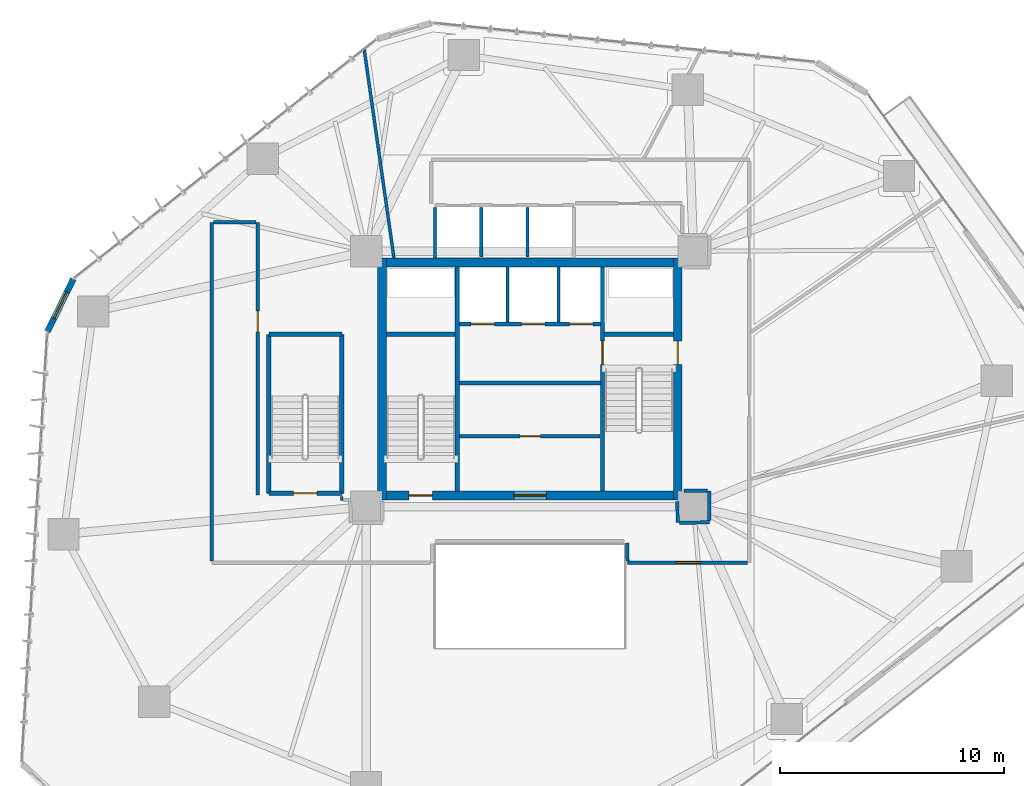
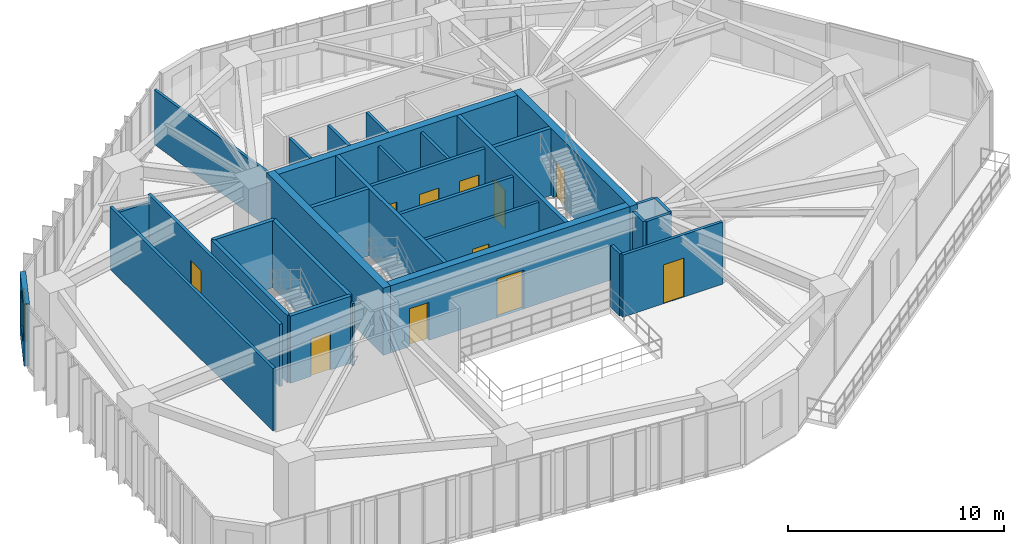
# One storey, part 19 of 24: 32 walls, 11 doors, 1 window, 12 openings.
"""IFC4 building model written with IfcOpenShell, lengths in metres."""

from ifc_helpers import new_model, si_unit, direction, frame, frame_2d, origin, place, context, subcontext, project, spatial, rectangle, extrude, source, transform, mapped, material, layer, layer_set, type_object, type_shapes, element, fill, save


model = new_model("IFC4")

# Units and contexts
model_context = context("Model", 3, precision=1e-05, world=origin(), true_north=direction((0.0, 1.0)))
body_context = subcontext(model_context, "Body", "Model", "MODEL_VIEW")
ifc_project = project(units=[si_unit("LENGTHUNIT", "METRE"), si_unit("AREAUNIT", "SQUARE_METRE"), si_unit("VOLUMEUNIT", "CUBIC_METRE"), si_unit("PLANEANGLEUNIT", "RADIAN"), si_unit("MASSUNIT", "GRAM", prefix="KILO")], contexts=[model_context])

# Site, building, storey
site_placement = place(None, origin())
site = spatial("IfcSite", under=ifc_project, at=site_placement, CompositionType="ELEMENT")
building_placement = place(site_placement, origin())
building = spatial("IfcBuilding", under=site, at=building_placement, Name="Talar Marvaseh", CompositionType="ELEMENT")
storey_placement = place(building_placement, frame((0.0, 0.0, 73.39990234375)))
storey = spatial("IfcBuildingStorey", under=building, at=storey_placement, Name="L18", CompositionType="ELEMENT", Elevation=73.39990234375)

# Wall, opening, window
ifc_material_1 = material(Name="Precast concrete C45/55", Category="concrete")
ifc_layer_1 = layer(ifc_material_1, 0.27001953125)
ifc_layer_set_1 = layer_set([ifc_layer_1], Name="Precast concrete C45/55")
wall_type_1 = type_object("IfcWallType", Name="Chamfered Hexagonal Corner Pier Wall Z1 270", PredefinedType="SOLIDWALL", material=ifc_layer_set_1)
wall_1_placement = place(storey_placement, frame((4.45751953125, 33.31640625, 0.0), z_axis=(0.0, 0.0, 1.0), x_axis=(0.440201354964, 0.897899085136, 0.0)))
wall_1 = element("IfcWall", 1, at=wall_1_placement, inside=storey, type_object=wall_type_1, Name="L18 Chamfered Corner Limestone Pier 2", PredefinedType="SOLIDWALL", context=body_context, shape_type="SweptSolid", body=[
    extrude(rectangle(XDim=2.623291015625, YDim=0.27001953125, at=frame_2d((1.3115234375, 0.0))), origin(), (0.0, 0.0, 1.0), 3.52001953125),
])
opening_1_placement = place(wall_1_placement, frame((0.662109375, 0.0, 0.89990234375)))
opening_1 = element("IfcOpeningElement", 2, at=opening_1_placement, cuts=wall_1, Name="Opening WN-CHM13", PredefinedType="OPENING", context=body_context, shape_type="SweptSolid", body=[
    extrude(rectangle(XDim=1.300048828125, YDim=2.14990234375, at=frame_2d((0.64990234375, 1.074951171875))), frame((0.0, 0.14501953125, 0.0), z_axis=(0.0, -1.0, 0.0), x_axis=(1.0, 0.0, 0.0)), (0.0, 0.0, 1.0), 0.2900390625),
])
ifc_material_2 = material(Name="Laminated Low-E Solar Glass", Category="glass")
window_type = type_object("IfcWindowType", Name="Zone 1 Chamfered Corner Slot Window 1300x2150", PartitioningType="SINGLE_PANEL", PredefinedType="WINDOW", material=ifc_material_2)
shared_shape_1 = source(origin(), body_context, "Body", "SweptSolid", [
    extrude(rectangle(XDim=1.300048828125, YDim=2.14990234375, at=frame_2d((0.64990234375, 1.074951171875))), frame((0.0, 0.030029296875, 0.0), z_axis=(0.0, -1.0, 0.0), x_axis=(1.0, 0.0, 0.0)), (0.0, 0.0, 1.0), 0.06005859375),
])
type_shapes(window_type, [shared_shape_1])
window_placement = place(opening_1_placement, origin())
window = element("IfcWindow", 3, at=window_placement, inside=storey, type_object=window_type, Name="L18 Chamfered Corner Slot Window", OverallHeight=2.14990234375, OverallWidth=1.300048828125, PartitioningType="SINGLE_PANEL", PredefinedType="WINDOW", context=body_context, shape_type="MappedRepresentation", body=[
    mapped(shared_shape_1, transform((0.0, 0.0, 0.0), x_axis=(1.0, 0.0, 0.0), y_axis=(0.0, 1.0, 0.0), z_axis=(0.0, 0.0, 1.0), scale=1.0)),
])
fill(opening_1, window)

# Wall, opening, door
ifc_material_3 = material(Name="Gypsum Board Partition Assembly")
ifc_layer_2 = layer(ifc_material_3, 0.155029296875)
ifc_layer_set_2 = layer_set([ifc_layer_2], Name="Gypsum Board Partition Assembly")
wall_type_2 = type_object("IfcWallType", Name="Corridor Fire-Rated Acoustic Partition 155", PredefinedType="PARTITIONING", material=ifc_layer_set_2)
wall_2_placement = place(storey_placement, frame((22.865966796875, 28.639892578125, 0.0), z_axis=(0.0, 0.0, 1.0), x_axis=(1.0, 0.0, 0.0)))
wall_2 = element("IfcWall", 4, at=wall_2_placement, inside=storey, type_object=wall_type_2, Name="L18 Core BOH Partition", PredefinedType="PARTITIONING", context=body_context, shape_type="SweptSolid", body=[
    extrude(rectangle(XDim=6.26806640625, YDim=0.155029296875, at=frame_2d((3.134033203125, 0.0))), origin(), (0.0, 0.0, 1.0), 3.52001953125),
])
opening_2_placement = place(wall_2_placement, frame((2.699951171875, 0.0, 0.0)))
opening_2 = element("IfcOpeningElement", 5, at=opening_2_placement, cuts=wall_2, Name="Opening DR-BOH090", PredefinedType="OPENING", context=body_context, shape_type="SweptSolid", body=[
    extrude(rectangle(XDim=0.89990234375, YDim=2.10009765625, at=frame_2d((0.449951171875, 1.050048828125))), frame((0.0, 0.08740234375, 0.0), z_axis=(0.0, -1.0, 0.0), x_axis=(1.0, 0.0, 0.0)), (0.0, 0.0, 1.0), 0.175048828125),
])
ifc_material_4 = material(Name="Fire-Rated Steel Door Leaf", Category="steel")
door_type_1 = type_object("IfcDoorType", Name="Core Back-of-House Service Door 900x2100", OperationType="NOTDEFINED", PredefinedType="DOOR", material=ifc_material_4)
shared_shape_2 = source(origin(), body_context, "Body", "SweptSolid", [
    extrude(rectangle(XDim=0.89990234375, YDim=2.10009765625, at=frame_2d((0.449951171875, 1.050048828125))), frame((0.0, 0.02490234375, 0.0), z_axis=(0.0, -1.0, 0.0), x_axis=(1.0, 0.0, 0.0)), (0.0, 0.0, 1.0), 0.050048828125),
])
type_shapes(door_type_1, [shared_shape_2])
door_1_placement = place(opening_2_placement, origin())
door_1 = element("IfcDoor", 6, at=door_1_placement, inside=storey, type_object=door_type_1, Name="L18 Store Core Central Archive Door", OperationType="SINGLE_SWING_LEFT", OverallHeight=2.10009765625, OverallWidth=0.89990234375, PredefinedType="DOOR", context=body_context, shape_type="MappedRepresentation", body=[
    mapped(shared_shape_2, transform((0.0, 0.0, 0.0), x_axis=(1.0, 0.0, 0.0), y_axis=(0.0, 1.0, 0.0), z_axis=(0.0, 0.0, 1.0), scale=1.0)),
])
fill(opening_2, door_1)

wall_3_placement = place(storey_placement, frame((13.85009765625, 38.199951171875, 0.0), z_axis=(0.0, 0.0, 1.0), x_axis=(0.0, -1.0, 0.0)))
wall_3 = element("IfcWall", 7, at=wall_3_placement, inside=storey, type_object=wall_type_2, Name="L18 Interior Partition Wall", PredefinedType="PARTITIONING", context=body_context, shape_type="SweptSolid", body=[
    extrude(rectangle(XDim=12.179931640625, YDim=0.155029296875, at=frame_2d((6.08984375, 0.0))), origin(), (0.0, 0.0, 1.0), 3.52001953125),
])
opening_3_placement = place(wall_3_placement, frame((3.95166015625, 0.0, 0.0)))
opening_3 = element("IfcOpeningElement", 8, at=opening_3_placement, cuts=wall_3, Name="Opening DR-WC095", PredefinedType="OPENING", context=body_context, shape_type="SweptSolid", body=[
    extrude(rectangle(XDim=0.949951171875, YDim=2.14990234375, at=frame_2d((0.47509765625, 1.074951171875))), frame((0.0, 0.08740234375, 0.0), z_axis=(0.0, -1.0, 0.0), x_axis=(1.0, 0.0, 0.0)), (0.0, 0.0, 1.0), 0.175048828125),
])
ifc_material_5 = material(Name="Acoustic Engineered Oak Timber", Category="wood")
door_type_2 = type_object("IfcDoorType", Name="Washroom and Service Room Door 950x2150", OperationType="NOTDEFINED", PredefinedType="DOOR", material=ifc_material_5)
shared_shape_3 = source(origin(), body_context, "Body", "SweptSolid", [
    extrude(rectangle(XDim=0.949951171875, YDim=2.14990234375, at=frame_2d((0.47509765625, 1.074951171875))), frame((0.0, 0.02490234375, 0.0), z_axis=(0.0, -1.0, 0.0), x_axis=(1.0, 0.0, 0.0)), (0.0, 0.0, 1.0), 0.050048828125),
])
type_shapes(door_type_2, [shared_shape_3])
door_2_placement = place(opening_3_placement, origin())
door_2 = element("IfcDoor", 9, at=door_2_placement, inside=storey, type_object=door_type_2, Name="L18 Collection Conservation Store Door", OperationType="SINGLE_SWING_RIGHT", OverallHeight=2.14990234375, OverallWidth=0.949951171875, PredefinedType="DOOR", context=body_context, shape_type="MappedRepresentation", body=[
    mapped(shared_shape_3, transform((0.0, 0.0, 0.0), x_axis=(1.0, 0.0, 0.0), y_axis=(0.0, 1.0, 0.0), z_axis=(0.0, 0.0, 1.0), scale=1.0)),
])
fill(opening_3, door_2)

wall_4_placement = place(storey_placement, frame((35.716552734375, 23.0, 0.0), z_axis=(0.0, 0.0, 1.0), x_axis=(-1.0, 0.0, 0.0)))
wall_4 = element("IfcWall", 10, at=wall_4_placement, inside=storey, type_object=wall_type_2, Name="L18 Interior Partition Wall", PredefinedType="PARTITIONING", context=body_context, shape_type="SweptSolid", body=[
    extrude(rectangle(XDim=5.3564453125, YDim=0.155029296875, at=frame_2d((2.67822265625, 0.0))), origin(), (0.0, 0.0, 1.0), 3.52001953125),
])
opening_4_placement = place(wall_4_placement, frame((2.08642578125, 0.0, 0.0)))
opening_4 = element("IfcOpeningElement", 11, at=opening_4_placement, cuts=wall_4, Name="Opening DR-RM110", PredefinedType="OPENING", context=body_context, shape_type="SweptSolid", body=[
    extrude(rectangle(XDim=1.10009765625, YDim=2.199951171875, at=frame_2d((0.550048828125, 1.10009765625))), frame((0.0, 0.08740234375, 0.0), z_axis=(0.0, -1.0, 0.0), x_axis=(1.0, 0.0, 0.0)), (0.0, 0.0, 1.0), 0.175048828125),
])
door_type_3 = type_object("IfcDoorType", Name="Assembly and Reading Hall Door 1100x2200", OperationType="NOTDEFINED", PredefinedType="DOOR", material=ifc_material_5)
shared_shape_4 = source(origin(), body_context, "Body", "SweptSolid", [
    extrude(rectangle(XDim=1.10009765625, YDim=2.199951171875, at=frame_2d((0.550048828125, 1.10009765625))), frame((0.0, 0.02490234375, 0.0), z_axis=(0.0, -1.0, 0.0), x_axis=(1.0, 0.0, 0.0)), (0.0, 0.0, 1.0), 0.050048828125),
])
type_shapes(door_type_3, [shared_shape_4])
door_3_placement = place(opening_4_placement, origin())
door_3 = element("IfcDoor", 12, at=door_3_placement, inside=storey, type_object=door_type_3, Name="L18 Exhibition Gallery Door", OperationType="SINGLE_SWING_LEFT", OverallHeight=2.199951171875, OverallWidth=1.10009765625, PredefinedType="DOOR", context=body_context, shape_type="MappedRepresentation", body=[
    mapped(shared_shape_4, transform((0.0, 0.0, 0.0), x_axis=(1.0, 0.0, 0.0), y_axis=(0.0, 1.0, 0.0), z_axis=(0.0, 0.0, 1.0), scale=1.0)),
])
fill(opening_4, door_3)

# Walls
wall_5_placement = place(storey_placement, frame((11.800048828125, 23.08349609375, 0.0), z_axis=(0.0, 0.0, 1.0), x_axis=(0.0, 1.0, 0.0)))
element("IfcWall", 13, at=wall_5_placement, inside=storey, type_object=wall_type_2, Name="L18 Interior Partition Wall", PredefinedType="PARTITIONING", context=body_context, shape_type="SweptSolid", body=[
    extrude(rectangle(XDim=15.116455078125, YDim=0.155029296875, at=frame_2d((7.55810546875, 0.0))), origin(), (0.0, 0.0, 1.0), 3.52001953125),
])
wall_6_placement = place(storey_placement, frame((11.883544921875, 38.199951171875, 0.0), z_axis=(0.0, 0.0, 1.0), x_axis=(1.0, 0.0, 0.0)))
element("IfcWall", 14, at=wall_6_placement, inside=storey, type_object=wall_type_2, Name="L18 Interior Partition Wall", PredefinedType="PARTITIONING", context=body_context, shape_type="SweptSolid", body=[
    extrude(rectangle(XDim=1.883056640625, YDim=0.155029296875, at=frame_2d((0.94140625, 0.0))), origin(), (0.0, 0.0, 1.0), 3.08203125),
])
wall_7_placement = place(storey_placement, frame((32.5849609375, 25.72998046875, 0.0), z_axis=(0.0, 0.0, 1.0), x_axis=(0.007253695172, -0.999973691607, 0.0)))
element("IfcWall", 15, at=wall_7_placement, inside=storey, type_object=wall_type_2, Name="L18 Interior Partition Wall", PredefinedType="PARTITIONING", context=body_context, shape_type="SweptSolid", body=[
    extrude(rectangle(XDim=0.9423828125, YDim=0.155029296875, at=frame_2d((0.47119140625, 0.0))), origin(), (0.0, 0.0, 1.0), 3.52001953125),
])
wall_8_placement = place(storey_placement, frame((32.67529296875, 24.788330078125, 0.0), z_axis=(0.0, 0.0, 1.0), x_axis=(0.999961738884, 0.008747614993, 0.0)))
element("IfcWall", 16, at=wall_8_placement, inside=storey, type_object=wall_type_2, Name="L18 Interior Partition Wall", PredefinedType="PARTITIONING", context=body_context, shape_type="SweptSolid", body=[
    extrude(rectangle(XDim=1.339599609375, YDim=0.155029296875, at=frame_2d((0.669921875, 0.0))), origin(), (0.0, 0.0, 1.0), 3.52001953125),
])
wall_9_placement = place(storey_placement, frame((34.014892578125, 24.883544921875, 0.0), z_axis=(0.0, 0.0, 1.0), x_axis=(-0.002393659134, 0.999997135194, 0.0)))
element("IfcWall", 17, at=wall_9_placement, inside=storey, type_object=wall_type_2, Name="L18 Interior Partition Wall", PredefinedType="PARTITIONING", context=body_context, shape_type="SweptSolid", body=[
    extrude(rectangle(XDim=1.325927734375, YDim=0.155029296875, at=frame_2d((0.6630859375, 0.0))), origin(), (0.0, 0.0, 1.0), 3.52001953125),
])
wall_10_placement = place(storey_placement, frame((33.927978515625, 26.2099609375, 0.0), z_axis=(0.0, 0.0, 1.0), x_axis=(-0.999988255797, 0.004846469737, 0.0)))
element("IfcWall", 18, at=wall_10_placement, inside=storey, type_object=wall_type_2, Name="L18 Interior Partition Wall", PredefinedType="PARTITIONING", context=body_context, shape_type="SweptSolid", body=[
    extrude(rectangle(XDim=1.057861328125, YDim=0.155029296875, at=frame_2d((0.52880859375, 0.0))), origin(), (0.0, 0.0, 1.0), 3.52001953125),
])
wall_11_placement = place(storey_placement, frame((30.358154296875, 23.08349609375, 0.0), z_axis=(0.0, 0.0, 1.0), x_axis=(-0.021573276475, 0.999767269789, 0.0)))
element("IfcWall", 19, at=wall_11_placement, inside=storey, type_object=wall_type_2, Name="L18 Interior Partition Wall", PredefinedType="PARTITIONING", context=body_context, shape_type="SweptSolid", body=[
    extrude(rectangle(XDim=0.792236328125, YDim=0.155029296875, at=frame_2d((0.39599609375, 0.0))), origin(), (0.0, 0.0, 1.0), 3.52001953125),
])
ifc_layer_3 = layer(ifc_material_3, 0.1201171875)
ifc_layer_set_3 = layer_set([ifc_layer_3], Name="Gypsum Board Partition Assembly")
wall_type_3 = type_object("IfcWallType", Name="Demountable Studio Room Partition 120", PredefinedType="PARTITIONING", material=ifc_layer_set_3)
wall_12_placement = place(storey_placement, frame((17.60009765625, 25.96240234375, 0.0), z_axis=(0.0, 0.0, 1.0), x_axis=(0.0, -1.0, 0.0)))
element("IfcWall", 20, at=wall_12_placement, inside=storey, type_object=wall_type_3, Name="L18 Interior Partition Wall", PredefinedType="PARTITIONING", context=body_context, shape_type="SweptSolid", body=[
    extrude(rectangle(XDim=0.1748046875, YDim=0.1201171875, at=frame_2d((0.08740234375, 0.0))), origin(), (0.0, 0.0, 1.0), 3.52001953125),
])
ifc_layer_4 = layer(ifc_material_1, 0.14501953125)
ifc_layer_set_4 = layer_set([ifc_layer_4], Name="Precast concrete C45/55")
wall_type_4 = type_object("IfcWallType", Name="Fire-Rated Lift Divider Wall 145", PredefinedType="SOLIDWALL", material=ifc_layer_set_4)
for number, where, z_axis, x_axis, name in (
    (21, (25.0, 33.743408203125, 0.0), (0.0, 0.0, 1.0), (0.0, 1.0, 0.0), "L18 FFL-1/FFL-2 Divider"),
    (22, (27.280029296875, 33.743408203125, 0.0), (0.0, 0.0, 1.0), (0.0, 1.0, 0.0), "L18 FFL-2/SVL-1 Divider"),
):
    element("IfcWall", number, at=place(storey_placement, frame(where, z_axis=z_axis, x_axis=x_axis)), inside=storey, type_object=wall_type_4, Name=name, PredefinedType="SOLIDWALL", context=body_context, shape_type="SweptSolid", body=[
        extrude(rectangle(XDim=2.45654296875, YDim=0.14501953125, at=frame_2d((1.228271484375, 0.0))), origin(), (0.0, 0.0, 1.0), 3.52001953125),
    ])
wall_13_placement = place(storey_placement, frame((21.760009765625, 36.60009765625, 0.0), z_axis=(0.0, 0.0, 1.0), x_axis=(0.0, 1.0, 0.0)))
element("IfcWall", 23, at=wall_13_placement, inside=storey, type_object=wall_type_4, Name="L18 Low-Rise Bank West Wall", PredefinedType="SOLIDWALL", context=body_context, shape_type="SweptSolid", body=[
    extrude(rectangle(XDim=2.266357421875, YDim=0.14501953125, at=frame_2d((1.13330078125, 0.0))), origin(), (0.0, 0.0, 1.0), 3.52001953125),
])
for number, where, z_axis, x_axis, name in (
    (24, (23.830078125, 36.659912109375, 0.0), (0.0, 0.0, 1.0), (0.0, 1.0, 0.0), "L18 PL-L1/PL-L2 Divider"),
    (25, (25.889892578125, 36.659912109375, 0.0), (0.0, 0.0, 1.0), (0.0, 1.0, 0.0), "L18 PL-L2/PL-L3 Divider"),
):
    element("IfcWall", number, at=place(storey_placement, frame(where, z_axis=z_axis, x_axis=x_axis)), inside=storey, type_object=wall_type_4, Name=name, PredefinedType="SOLIDWALL", context=body_context, shape_type="SweptSolid", body=[
        extrude(rectangle(XDim=2.20654296875, YDim=0.14501953125, at=frame_2d((1.103271484375, 0.0))), origin(), (0.0, 0.0, 1.0), 3.52001953125),
    ])

# Wall, openings, doors
ifc_layer_5 = layer(ifc_material_1, 0.175048828125)
ifc_layer_set_5 = layer_set([ifc_layer_5], Name="Precast concrete C45/55")
wall_type_5 = type_object("IfcWallType", Name="Fire-Rated Lift Hoistway Enclosure Wall 175", PredefinedType="SOLIDWALL", material=ifc_layer_set_5)
wall_14_placement = place(storey_placement, frame((22.860107421875, 33.64990234375, 0.0), z_axis=(0.0, 0.0, 1.0), x_axis=(1.0, 0.0, 0.0)))
wall_14 = element("IfcWall", 26, at=wall_14_placement, inside=storey, type_object=wall_type_5, Name="L18 Firefighting and Service Lift Front Wall", PredefinedType="SOLIDWALL", context=body_context, shape_type="SweptSolid", body=[
    extrude(rectangle(XDim=6.27978515625, YDim=0.175048828125, at=frame_2d((3.139892578125, 0.0))), origin(), (0.0, 0.0, 1.0), 3.52001953125),
])
opening_5_placement = place(wall_14_placement, frame((0.5, 0.0, 0.0)))
opening_5 = element("IfcOpeningElement", 27, at=opening_5_placement, cuts=wall_14, Name="Opening LD-FF1", PredefinedType="OPENING", context=body_context, shape_type="SweptSolid", body=[
    extrude(rectangle(XDim=1.050048828125, YDim=2.14990234375, at=frame_2d((0.52490234375, 1.074951171875))), frame((0.0, 0.09765625, 0.0), z_axis=(0.0, -1.0, 0.0), x_axis=(1.0, 0.0, 0.0)), (0.0, 0.0, 1.0), 0.195068359375),
])
opening_6_placement = place(wall_14_placement, frame((2.760009765625, 0.0, 0.0)))
opening_6 = element("IfcOpeningElement", 28, at=opening_6_placement, cuts=wall_14, Name="Opening LD-FF2", PredefinedType="OPENING", context=body_context, shape_type="SweptSolid", body=[
    extrude(rectangle(XDim=1.050048828125, YDim=2.14990234375, at=frame_2d((0.52490234375, 1.074951171875))), frame((0.0, 0.09765625, 0.0), z_axis=(0.0, -1.0, 0.0), x_axis=(1.0, 0.0, 0.0)), (0.0, 0.0, 1.0), 0.195068359375),
])
opening_7_placement = place(wall_14_placement, frame((4.89990234375, 0.0, 0.0)))
opening_7 = element("IfcOpeningElement", 29, at=opening_7_placement, cuts=wall_14, Name="Opening LD-SV1", PredefinedType="OPENING", context=body_context, shape_type="SweptSolid", body=[
    extrude(rectangle(XDim=1.050048828125, YDim=2.14990234375, at=frame_2d((0.52490234375, 1.074951171875))), frame((0.0, 0.09765625, 0.0), z_axis=(0.0, -1.0, 0.0), x_axis=(1.0, 0.0, 0.0)), (0.0, 0.0, 1.0), 0.195068359375),
])
ifc_material_6 = material(Name="Stainless Steel Grade 316", Category="steel")
door_type_4 = type_object("IfcDoorType", Name="Automatic Sliding Lift Landing Door 1050x2150", OperationType="NOTDEFINED", PredefinedType="DOOR", material=ifc_material_6)
shared_shape_5 = source(origin(), body_context, "Body", "SweptSolid", [
    extrude(rectangle(XDim=1.050048828125, YDim=2.14990234375, at=frame_2d((0.52490234375, 1.074951171875))), frame((0.0, 0.02490234375, 0.0), z_axis=(0.0, -1.0, 0.0), x_axis=(1.0, 0.0, 0.0)), (0.0, 0.0, 1.0), 0.050048828125),
])
type_shapes(door_type_4, [shared_shape_5])
door_4_placement = place(opening_5_placement, origin())
door_4 = element("IfcDoor", 30, at=door_4_placement, inside=storey, type_object=door_type_4, Name="L18 Lift FFL-1 Sliding Landing Door", OperationType="SLIDING_TO_LEFT", OverallHeight=2.14990234375, OverallWidth=1.050048828125, PredefinedType="DOOR", context=body_context, shape_type="MappedRepresentation", body=[
    mapped(shared_shape_5, transform((0.0, 0.0, 0.0), x_axis=(1.0, 0.0, 0.0), y_axis=(0.0, 1.0, 0.0), z_axis=(0.0, 0.0, 1.0), scale=1.0)),
])
fill(opening_5, door_4)
door_5_placement = place(opening_6_placement, origin())
door_5 = element("IfcDoor", 31, at=door_5_placement, inside=storey, type_object=door_type_4, Name="L18 Lift FFL-2 Sliding Landing Door", OperationType="SLIDING_TO_LEFT", OverallHeight=2.14990234375, OverallWidth=1.050048828125, PredefinedType="DOOR", context=body_context, shape_type="MappedRepresentation", body=[
    mapped(shared_shape_5, transform((0.0, 0.0, 0.0), x_axis=(1.0, 0.0, 0.0), y_axis=(0.0, 1.0, 0.0), z_axis=(0.0, 0.0, 1.0), scale=1.0)),
])
fill(opening_6, door_5)
door_6_placement = place(opening_7_placement, origin())
door_6 = element("IfcDoor", 32, at=door_6_placement, inside=storey, type_object=door_type_4, Name="L18 Lift SVL-1 Sliding Landing Door", OperationType="SLIDING_TO_LEFT", OverallHeight=2.14990234375, OverallWidth=1.050048828125, PredefinedType="DOOR", context=body_context, shape_type="MappedRepresentation", body=[
    mapped(shared_shape_5, transform((0.0, 0.0, 0.0), x_axis=(1.0, 0.0, 0.0), y_axis=(0.0, 1.0, 0.0), z_axis=(0.0, 0.0, 1.0), scale=1.0)),
])
fill(opening_7, door_6)

# Walls
wall_15_placement = place(storey_placement, frame((22.860107421875, 31.02001953125, 0.0), z_axis=(0.0, 0.0, 1.0), x_axis=(1.0, 0.0, 0.0)))
element("IfcWall", 33, at=wall_15_placement, inside=storey, type_object=wall_type_5, Name="L18 Firefighting Lobby South Smoke Wall", PredefinedType="SOLIDWALL", context=body_context, shape_type="SweptSolid", body=[
    extrude(rectangle(XDim=6.27978515625, YDim=0.175048828125, at=frame_2d((3.139892578125, 0.0))), origin(), (0.0, 0.0, 1.0), 3.52001953125),
])
ifc_layer_6 = layer(ifc_material_3, 0.135009765625)
ifc_layer_set_6 = layer_set([ifc_layer_6], Name="Gypsum Board Partition Assembly")
wall_type_6 = type_object("IfcWallType", Name="Gallery High-Acoustic Partition 135", PredefinedType="PARTITIONING", material=ifc_layer_set_6)
wall_16_placement = place(storey_placement, frame((19.929931640625, 36.60009765625, 0.0), z_axis=(0.0, 0.0, 1.0), x_axis=(-0.141265171496, 0.989971793195, 0.0)))
element("IfcWall", 34, at=wall_16_placement, inside=storey, type_object=wall_type_6, Name="L18 Interior Partition Wall", PredefinedType="PARTITIONING", context=body_context, shape_type="SweptSolid", body=[
    extrude(rectangle(XDim=9.410400390625, YDim=0.135009765625, at=frame_2d((4.705078125, 0.0))), origin(), (0.0, 0.0, 1.0), 3.08203125),
])
ifc_material_7 = material(Name="Concrete C70/85", Category="concrete")
ifc_layer_7 = layer(ifc_material_7, 0.39990234375)
ifc_layer_set_7 = layer_set([ifc_layer_7], Name="Concrete C70/85")
wall_type_7 = type_object("IfcWallType", Name="Lower Core Reinforced Concrete Shear Wall 400", PredefinedType="SHEAR", material=ifc_layer_set_7)
wall_17_placement = place(storey_placement, frame((19.39990234375, 25.800048828125, 0.0), z_axis=(0.0, 0.0, 1.0), x_axis=(0.0, 1.0, 0.0)))
element("IfcWall", 35, at=wall_17_placement, inside=storey, type_object=wall_type_7, Name="L18 West Core Shear Wall", PredefinedType="SHEAR", context=body_context, shape_type="SweptSolid", body=[
    extrude(rectangle(XDim=10.800048828125, YDim=0.39990234375, at=frame_2d((5.39990234375, 0.0))), origin(), (0.0, 0.0, 1.0), 3.800048828125),
])

# Wall, opening, door
wall_18_placement = place(storey_placement, frame((32.60009765625, 36.60009765625, 0.0), z_axis=(0.0, 0.0, 1.0), x_axis=(0.0, -1.0, 0.0)))
wall_18 = element("IfcWall", 36, at=wall_18_placement, inside=storey, type_object=wall_type_7, Name="L18 East Core Shear Wall", PredefinedType="SHEAR", context=body_context, shape_type="SweptSolid", body=[
    extrude(rectangle(XDim=10.800048828125, YDim=0.39990234375, at=frame_2d((5.39990234375, 0.0))), origin(), (0.0, 0.0, 1.0), 3.800048828125),
])
opening_8_placement = place(wall_18_placement, frame((3.699951171875, 0.0, 0.0)))
opening_8 = element("IfcOpeningElement", 37, at=opening_8_placement, cuts=wall_18, Name="Opening DR-ST105", PredefinedType="OPENING", context=body_context, shape_type="SweptSolid", body=[
    extrude(rectangle(XDim=1.050048828125, YDim=2.14990234375, at=frame_2d((0.52490234375, 1.074951171875))), frame((0.0, 0.2099609375, 0.0), z_axis=(0.0, -1.0, 0.0), x_axis=(1.0, 0.0, 0.0)), (0.0, 0.0, 1.0), 0.419921875),
])
door_type_5 = type_object("IfcDoorType", Name="Protected Exit Stair Fire Door 1050x2150", OperationType="NOTDEFINED", PredefinedType="DOOR", material=ifc_material_4)
shared_shape_6 = source(origin(), body_context, "Body", "SweptSolid", [
    extrude(rectangle(XDim=1.050048828125, YDim=2.14990234375, at=frame_2d((0.52490234375, 1.074951171875))), frame((0.0, 0.02490234375, 0.0), z_axis=(0.0, -1.0, 0.0), x_axis=(1.0, 0.0, 0.0)), (0.0, 0.0, 1.0), 0.050048828125),
])
type_shapes(door_type_5, [shared_shape_6])
door_7_placement = place(opening_8_placement, origin())
door_7 = element("IfcDoor", 38, at=door_7_placement, inside=storey, type_object=door_type_5, Name="L18 Stair ST-2 Corridor Exit Door", OperationType="SINGLE_SWING_LEFT", OverallHeight=2.14990234375, OverallWidth=1.050048828125, PredefinedType="DOOR", context=body_context, shape_type="MappedRepresentation", body=[
    mapped(shared_shape_6, transform((0.0, 0.0, 0.0), x_axis=(1.0, 0.0, 0.0), y_axis=(0.0, 1.0, 0.0), z_axis=(0.0, 0.0, 1.0), scale=1.0)),
])
fill(opening_8, door_7)

# Wall
wall_19_placement = place(storey_placement, frame((19.60009765625, 36.39990234375, 0.0), z_axis=(0.0, 0.0, 1.0), x_axis=(1.0, 0.0, 0.0)))
element("IfcWall", 39, at=wall_19_placement, inside=storey, type_object=wall_type_7, Name="L18 North Core Shear Wall", PredefinedType="SHEAR", context=body_context, shape_type="SweptSolid", body=[
    extrude(rectangle(XDim=12.7998046875, YDim=0.39990234375, at=frame_2d((6.39990234375, 0.0))), origin(), (0.0, 0.0, 1.0), 3.800048828125),
])

# Wall, openings, doors
wall_20_placement = place(storey_placement, frame((32.39990234375, 26.0, 0.0), z_axis=(0.0, 0.0, 1.0), x_axis=(-1.0, 0.0, 0.0)))
wall_20 = element("IfcWall", 40, at=wall_20_placement, inside=storey, type_object=wall_type_7, Name="L18 South Core Shear Wall", PredefinedType="SHEAR", context=body_context, shape_type="SweptSolid", body=[
    extrude(rectangle(XDim=12.7998046875, YDim=0.39990234375, at=frame_2d((6.39990234375, 0.0))), origin(), (0.0, 0.0, 1.0), 3.800048828125),
])
opening_9_placement = place(wall_20_placement, frame((10.75, 0.0, 0.0)))
opening_9 = element("IfcOpeningElement", 41, at=opening_9_placement, cuts=wall_20, Name="Opening DR-ST105", PredefinedType="OPENING", context=body_context, shape_type="SweptSolid", body=[
    extrude(rectangle(XDim=1.050048828125, YDim=2.14990234375, at=frame_2d((0.52490234375, 1.074951171875))), frame((0.0, 0.2099609375, 0.0), z_axis=(0.0, -1.0, 0.0), x_axis=(1.0, 0.0, 0.0)), (0.0, 0.0, 1.0), 0.419921875),
])
opening_10_placement = place(wall_20_placement, frame((5.669921875, 0.0, 0.0)))
opening_10 = element("IfcOpeningElement", 42, at=opening_10_placement, cuts=wall_20, Name="Opening DR-LBY145", PredefinedType="OPENING", context=body_context, shape_type="SweptSolid", body=[
    extrude(rectangle(XDim=1.449951171875, YDim=2.199951171875, at=frame_2d((0.72509765625, 1.10009765625))), frame((0.0, 0.2099609375, 0.0), z_axis=(0.0, -1.0, 0.0), x_axis=(1.0, 0.0, 0.0)), (0.0, 0.0, 1.0), 0.419921875),
])
door_8_placement = place(opening_9_placement, origin())
door_8 = element("IfcDoor", 43, at=door_8_placement, inside=storey, type_object=door_type_5, Name="L18 Stair ST-1 Exit Door", OperationType="SINGLE_SWING_RIGHT", OverallHeight=2.14990234375, OverallWidth=1.050048828125, PredefinedType="DOOR", context=body_context, shape_type="MappedRepresentation", body=[
    mapped(shared_shape_6, transform((0.0, 0.0, 0.0), x_axis=(1.0, 0.0, 0.0), y_axis=(0.0, 1.0, 0.0), z_axis=(0.0, 0.0, 1.0), scale=1.0)),
])
fill(opening_9, door_8)
door_type_6 = type_object("IfcDoorType", Name="Core Lift Lobby Double Smoke Door 1450x2200", OperationType="NOTDEFINED", PredefinedType="DOOR", material=ifc_material_4)
shared_shape_7 = source(origin(), body_context, "Body", "SweptSolid", [
    extrude(rectangle(XDim=1.449951171875, YDim=2.199951171875, at=frame_2d((0.72509765625, 1.10009765625))), frame((0.0, 0.02490234375, 0.0), z_axis=(0.0, -1.0, 0.0), x_axis=(1.0, 0.0, 0.0)), (0.0, 0.0, 1.0), 0.050048828125),
])
type_shapes(door_type_6, [shared_shape_7])
door_9_placement = place(opening_10_placement, origin())
door_9 = element("IfcDoor", 44, at=door_9_placement, inside=storey, type_object=door_type_6, Name="L18 Passenger Lift Lobby Entrance Door", OperationType="DOUBLE_DOOR_SINGLE_SWING", OverallHeight=2.199951171875, OverallWidth=1.449951171875, PredefinedType="DOOR", context=body_context, shape_type="MappedRepresentation", body=[
    mapped(shared_shape_7, transform((0.0, 0.0, 0.0), x_axis=(1.0, 0.0, 0.0), y_axis=(0.0, 1.0, 0.0), z_axis=(0.0, 0.0, 1.0), scale=1.0)),
])
fill(opening_10, door_9)

# Wall
ifc_material_8 = material(Name="Concrete C50/60", Category="concrete")
ifc_layer_8 = layer(ifc_material_8, 0.199951171875)
ifc_layer_set_8 = layer_set([ifc_layer_8], Name="Concrete C50/60")
wall_type_8 = type_object("IfcWallType", Name="Stair Shaft Structural Concrete Shear Wall 200", PredefinedType="SHEAR", material=ifc_layer_set_8)
wall_21_placement = place(storey_placement, frame((22.760009765625, 26.199951171875, 0.0), z_axis=(0.0, 0.0, 1.0), x_axis=(0.0, 1.0, 0.0)))
element("IfcWall", 45, at=wall_21_placement, inside=storey, type_object=wall_type_8, Name="L18 Core West Stair Shear Wall", PredefinedType="SHEAR", context=body_context, shape_type="SweptSolid", body=[
    extrude(rectangle(XDim=10.0, YDim=0.199951171875, at=frame_2d((5.0, 0.0))), origin(), (0.0, 0.0, 1.0), 3.800048828125),
])

# Wall, opening, door
wall_22_placement = place(storey_placement, frame((29.239990234375, 26.199951171875, 0.0), z_axis=(0.0, 0.0, 1.0), x_axis=(0.0, 1.0, 0.0)))
wall_22 = element("IfcWall", 46, at=wall_22_placement, inside=storey, type_object=wall_type_8, Name="L18 Core East Stair Shear Wall", PredefinedType="SHEAR", context=body_context, shape_type="SweptSolid", body=[
    extrude(rectangle(XDim=10.0, YDim=0.199951171875, at=frame_2d((5.0, 0.0))), origin(), (0.0, 0.0, 1.0), 3.800048828125),
])
opening_11_placement = place(wall_22_placement, frame((5.64990234375, 0.0, 0.0)))
opening_11 = element("IfcOpeningElement", 47, at=opening_11_placement, cuts=wall_22, Name="Opening DR-ST105", PredefinedType="OPENING", context=body_context, shape_type="SweptSolid", body=[
    extrude(rectangle(XDim=1.050048828125, YDim=2.14990234375, at=frame_2d((0.52490234375, 1.074951171875))), frame((0.0, 0.10986328125, 0.0), z_axis=(0.0, -1.0, 0.0), x_axis=(1.0, 0.0, 0.0)), (0.0, 0.0, 1.0), 0.219970703125),
])
door_10_placement = place(opening_11_placement, origin())
door_10 = element("IfcDoor", 48, at=door_10_placement, inside=storey, type_object=door_type_5, Name="L18 Firefighting Lobby to Stair ST-2 Door", OperationType="SINGLE_SWING_LEFT", OverallHeight=2.14990234375, OverallWidth=1.050048828125, PredefinedType="DOOR", context=body_context, shape_type="MappedRepresentation", body=[
    mapped(shared_shape_6, transform((0.0, 0.0, 0.0), x_axis=(1.0, 0.0, 0.0), y_axis=(0.0, 1.0, 0.0), z_axis=(0.0, 0.0, 1.0), scale=1.0)),
])
fill(opening_11, door_10)

# Walls
for number, where, z_axis, x_axis, name in (
    (49, (19.60009765625, 33.199951171875, 0.0), (0.0, 0.0, 1.0), (1.0, 0.0, 0.0), "L18 Stair ST-1 North Shear Wall"),
    (50, (29.340087890625, 33.199951171875, 0.0), (0.0, 0.0, 1.0), (1.0, 0.0, 0.0), "L18 Stair ST-2 North Shear Wall"),
):
    element("IfcWall", number, at=place(storey_placement, frame(where, z_axis=z_axis, x_axis=x_axis)), inside=storey, type_object=wall_type_8, Name=name, PredefinedType="SHEAR", context=body_context, shape_type="SweptSolid", body=[
        extrude(rectangle(XDim=3.059814453125, YDim=0.199951171875, at=frame_2d((1.52978515625, 0.0))), origin(), (0.0, 0.0, 1.0), 3.800048828125),
    ])

# Wall, opening, door
wall_23_placement = place(storey_placement, frame((17.60009765625, 26.10009765625, 0.0), z_axis=(0.0, 0.0, 1.0), x_axis=(-1.0, 0.0, 0.0)))
wall_23 = element("IfcWall", 51, at=wall_23_placement, inside=storey, type_object=wall_type_8, Name="L18 Stair ST-3 South Shear Wall", PredefinedType="SHEAR", context=body_context, shape_type="SweptSolid", body=[
    extrude(rectangle(XDim=3.260009765625, YDim=0.199951171875, at=frame_2d((1.6298828125, 0.0))), origin(), (0.0, 0.0, 1.0), 3.800048828125),
])
opening_12_placement = place(wall_23_placement, frame((1.10009765625, 0.0, 0.0)))
opening_12 = element("IfcOpeningElement", 52, at=opening_12_placement, cuts=wall_23, Name="Opening DR-ST105", PredefinedType="OPENING", context=body_context, shape_type="SweptSolid", body=[
    extrude(rectangle(XDim=1.050048828125, YDim=2.14990234375, at=frame_2d((0.52490234375, 1.074951171875))), frame((0.0, 0.10986328125, 0.0), z_axis=(0.0, -1.0, 0.0), x_axis=(1.0, 0.0, 0.0)), (0.0, 0.0, 1.0), 0.219970703125),
])
door_11_placement = place(opening_12_placement, origin())
door_11 = element("IfcDoor", 53, at=door_11_placement, inside=storey, type_object=door_type_5, Name="L18 Stair ST-3 Exit Door", OperationType="SINGLE_SWING_LEFT", OverallHeight=2.14990234375, OverallWidth=1.050048828125, PredefinedType="DOOR", context=body_context, shape_type="MappedRepresentation", body=[
    mapped(shared_shape_6, transform((0.0, 0.0, 0.0), x_axis=(1.0, 0.0, 0.0), y_axis=(0.0, 1.0, 0.0), z_axis=(0.0, 0.0, 1.0), scale=1.0)),
])
fill(opening_12, door_11)

# Walls
wall_24_placement = place(storey_placement, frame((14.340087890625, 33.199951171875, 0.0), z_axis=(0.0, 0.0, 1.0), x_axis=(1.0, 0.0, 0.0)))
element("IfcWall", 54, at=wall_24_placement, inside=storey, type_object=wall_type_8, Name="L18 Stair ST-3 North Shear Wall", PredefinedType="SHEAR", context=body_context, shape_type="SweptSolid", body=[
    extrude(rectangle(XDim=3.260009765625, YDim=0.199951171875, at=frame_2d((1.6298828125, 0.0))), origin(), (0.0, 0.0, 1.0), 3.800048828125),
])
for number, where, z_axis, x_axis, name in (
    (55, (14.340087890625, 26.10009765625, 0.0), (0.0, 0.0, 1.0), (0.0, 1.0, 0.0), "L18 Stair ST-3 West Shear Wall"),
    (56, (17.60009765625, 26.10009765625, 0.0), (0.0, 0.0, 1.0), (0.0, 1.0, 0.0), "L18 Stair ST-3 East Shear Wall"),
):
    element("IfcWall", number, at=place(storey_placement, frame(where, z_axis=z_axis, x_axis=x_axis)), inside=storey, type_object=wall_type_8, Name=name, PredefinedType="SHEAR", context=body_context, shape_type="SweptSolid", body=[
        extrude(rectangle(XDim=7.099853515625, YDim=0.199951171875, at=frame_2d((3.5498046875, 0.0))), origin(), (0.0, 0.0, 1.0), 3.800048828125),
    ])

save(model, "model.ifc")
